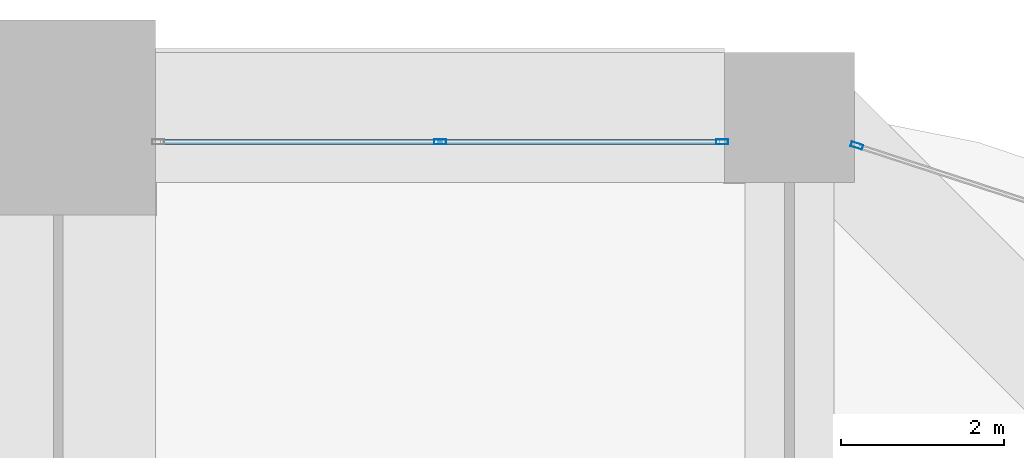
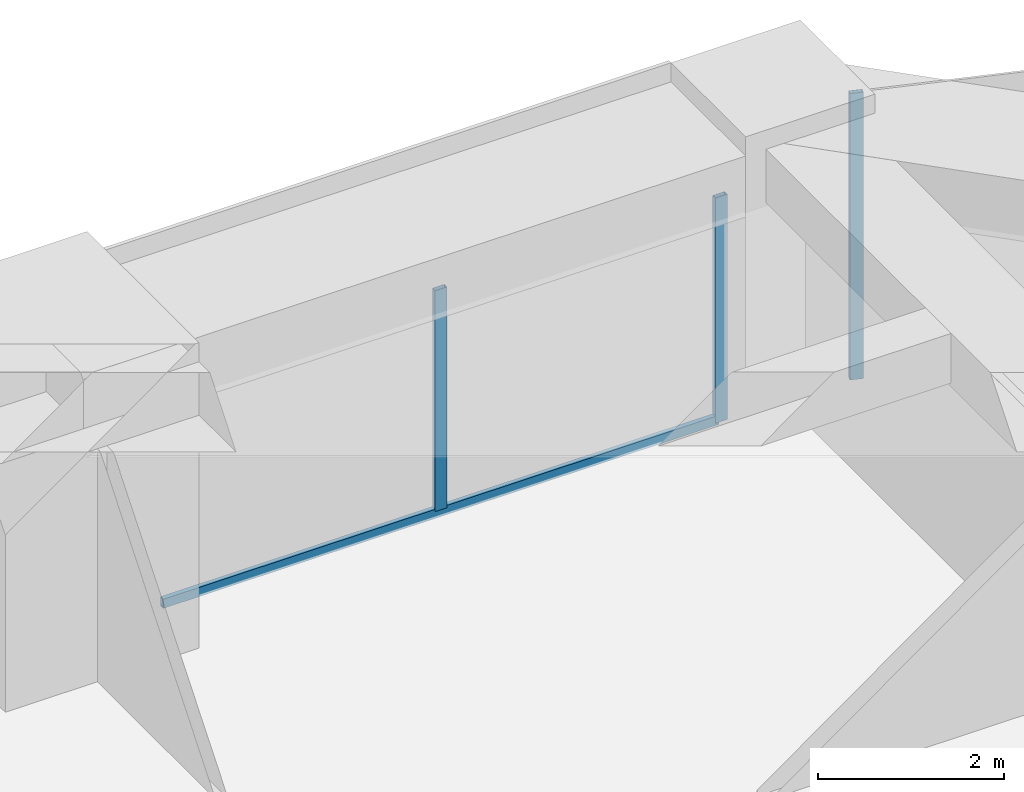
# One storey, part 35 of 43: 4 members, 2 elements without a shape of their own.
"""IFC4 building model written with IfcOpenShell, lengths in metres."""

from ifc_helpers import new_model, si_unit, direction, frame, origin, origin_2d, place, context, subcontext, project, spatial, hollow_rectangle, extrude, material, material_profile, profile_set, type_object, element, aggregate, save


model = new_model("IFC4")

# Units and contexts
model_context = context("Model", 3, precision=1e-05, world=origin(), true_north=direction((0.0, 1.0)))
body_context = subcontext(model_context, "Body", "Model", "MODEL_VIEW")
ifc_project = project(units=[si_unit("LENGTHUNIT", "METRE"), si_unit("AREAUNIT", "SQUARE_METRE"), si_unit("VOLUMEUNIT", "CUBIC_METRE"), si_unit("PLANEANGLEUNIT", "RADIAN"), si_unit("MASSUNIT", "GRAM", prefix="KILO")], contexts=[model_context])

# Site, building, storey
site_placement = place(None, origin())
site = spatial("IfcSite", under=ifc_project, at=site_placement, CompositionType="ELEMENT")
building_placement = place(site_placement, origin())
building = spatial("IfcBuilding", under=site, at=building_placement, Name="Zorevar Civic Tower", CompositionType="ELEMENT")
storey_placement = place(building_placement, frame((0.0, 0.0, 141.0)))
storey = spatial("IfcBuildingStorey", under=building, at=storey_placement, Name="L34", CompositionType="ELEMENT", Elevation=141.0)

# Curtain wall, members
ifc_material_1 = material(Name="Dark grey solar-control glass in black aluminium frame", Category="aluminium")
curtain_wall_type = type_object("IfcCurtainWallType", Name="Curtain wall CW3 mid zone", PredefinedType="NOTDEFINED", material=ifc_material_1)
curtain_wall_1_placement = place(storey_placement, origin())
curtain_wall_1 = element("IfcCurtainWall", 1, at=curtain_wall_1_placement, inside=storey, type_object=curtain_wall_type, Name="CW3 L34", PredefinedType="NOTDEFINED")
ifc_material_2 = material(Name="Aluminium, black anodised", Category="aluminium")
ifc_material_profile_1 = material_profile(ifc_material_2, hollow_rectangle(XDim=0.06005859375, YDim=0.14990234375, WallThickness=0.00390625, at=origin_2d()), Name="AL 150x60x4")
ifc_profile_set_1 = profile_set([ifc_material_profile_1], Name="Aluminium, black anodised")
member_type_1 = type_object("IfcMemberType", Name="CW3 mullion AL 150x60x4", PredefinedType="MULLION", material=ifc_profile_set_1)
member_1_placement = place(storey_placement, frame((49.699951171875, 44.699951171875, 0.06005859375), z_axis=(0.0, 0.0, 1.0), x_axis=(0.0, 1.0, 0.0)))
member_1 = element("IfcMember", 2, at=member_1_placement, type_object=member_type_1, Name="CW3 mullion 2", PredefinedType="MULLION", context=body_context, shape_type="SweptSolid", body=[
    extrude(hollow_rectangle(XDim=0.06005859375, YDim=0.14990234375, WallThickness=0.00390625, at=origin_2d()), origin(), (0.0, 0.0, 1.0), 2.889892578125),
])
member_2_placement = place(storey_placement, frame((53.169921875, 44.699951171875, 0.0), z_axis=(0.0, 0.0, 1.0), x_axis=(0.0, 1.0, 0.0)))
member_2 = element("IfcMember", 3, at=member_2_placement, type_object=member_type_1, Name="CW3 mullion 3", PredefinedType="MULLION", context=body_context, shape_type="SweptSolid", body=[
    extrude(hollow_rectangle(XDim=0.06005859375, YDim=0.14990234375, WallThickness=0.00390625, at=origin_2d()), origin(), (0.0, 0.0, 1.0), 2.949951171875),
])

# Curtain wall, member
curtain_wall_2_placement = place(storey_placement, origin())
curtain_wall_2 = element("IfcCurtainWall", 4, at=curtain_wall_2_placement, inside=storey, type_object=curtain_wall_type, Name="CW3 L34", PredefinedType="NOTDEFINED")
member_3_placement = place(storey_placement, frame((54.82861328125, 44.65380859375, 0.0), z_axis=(0.0, 0.0, 1.0), x_axis=(-0.310263169163, -0.950650706548, 0.0)))
member_3 = element("IfcMember", 5, at=member_3_placement, type_object=member_type_1, Name="CW3 mullion 2", PredefinedType="MULLION", context=body_context, shape_type="SweptSolid", body=[
    extrude(hollow_rectangle(XDim=0.06005859375, YDim=0.14990234375, WallThickness=0.00390625, at=origin_2d()), origin(), (0.0, 0.0, 1.0), 3.75),
])
aggregate(curtain_wall_2, [member_3])

# Member
ifc_material_3 = material(Name="Aluminium, black anodised", Category="aluminium")
ifc_material_profile_2 = material_profile(ifc_material_3, hollow_rectangle(XDim=0.06005859375, YDim=0.1201171875, WallThickness=0.0029296875, at=origin_2d()), Name="AL 120x60x3")
ifc_profile_set_2 = profile_set([ifc_material_profile_2], Name="Aluminium, black anodised")
member_type_2 = type_object("IfcMemberType", Name="CW3 transom AL 120x60x3", PredefinedType="USERDEFINED", material=ifc_profile_set_2)
member_4_placement = place(storey_placement, frame((46.260009765625, 44.699951171875, 0.030029296875), z_axis=(1.0, 0.0, 0.0), x_axis=(0.0, 1.0, 0.0)))
member_4 = element("IfcMember", 6, at=member_4_placement, type_object=member_type_2, Name="CW3 sill transom", ObjectType="TRANSOM", PredefinedType="USERDEFINED", context=body_context, shape_type="SweptSolid", body=[
    extrude(hollow_rectangle(XDim=0.06005859375, YDim=0.1201171875, WallThickness=0.0029296875, at=origin_2d()), origin(), (0.0, 0.0, 1.0), 6.8798828125),
])

aggregate(curtain_wall_1, [member_1, member_2, member_4])

save(model, "model.ifc")
